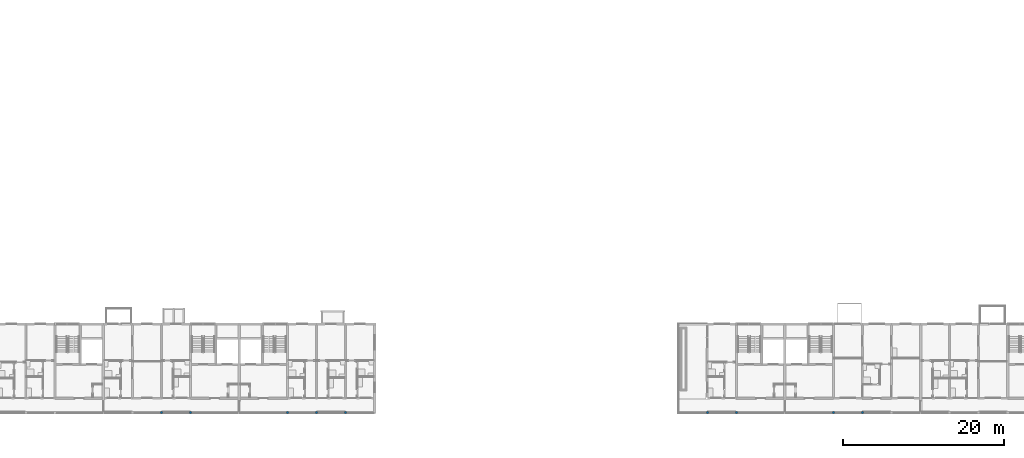
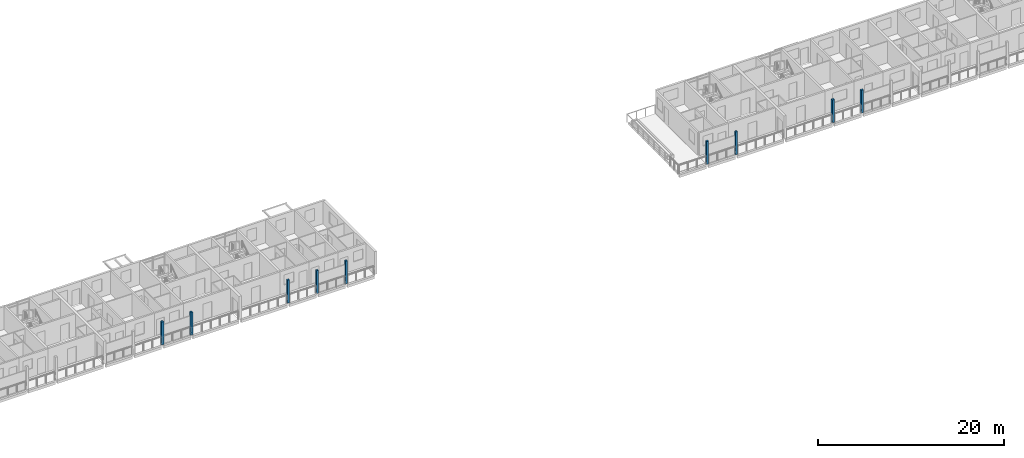
# One storey, part 2 of 78: 9 columns.
"""IFC4 building model written with IfcOpenShell, lengths in metres."""

from ifc_helpers import new_model, si_unit, direction, frame, origin, origin_2d, place, context, subcontext, project, spatial, rectangle, extrude, material, material_profile, profile_set, type_object, element, save


model = new_model("IFC4")

# Units and contexts
model_context = context("Model", 3, precision=1e-05, world=origin(), true_north=direction((0.0, 1.0)))
body_context = subcontext(model_context, "Body", "Model", "MODEL_VIEW")
ifc_project = project(units=[si_unit("LENGTHUNIT", "METRE"), si_unit("AREAUNIT", "SQUARE_METRE"), si_unit("VOLUMEUNIT", "CUBIC_METRE"), si_unit("PLANEANGLEUNIT", "RADIAN"), si_unit("MASSUNIT", "GRAM", prefix="KILO")], contexts=[model_context])

# Site, building, storey
site_placement = place(None, origin())
site = spatial("IfcSite", under=ifc_project, at=site_placement, CompositionType="ELEMENT")
building_placement = place(site_placement, origin())
building = spatial("IfcBuilding", under=site, at=building_placement, Name="Ridgestep Commons", CompositionType="ELEMENT")
storey_placement = place(building_placement, frame((0.0, 0.0, 30.0)))
storey = spatial("IfcBuildingStorey", under=building, at=storey_placement, Name="L10", CompositionType="ELEMENT", Elevation=30.0)

# Columns
ifc_material = material(Name="Precast concrete C40/50", Category="concrete")
ifc_material_profile = material_profile(ifc_material, rectangle(XDim=0.25, YDim=0.25, at=origin_2d()), Name="PC 250x250")
ifc_profile_set = profile_set([ifc_material_profile], Name="Precast concrete C40/50")
column_type = type_object("IfcColumnType", Name="Loggia column 250 x 250", PredefinedType="COLUMN", material=ifc_profile_set)
for number, where, z_axis, x_axis, name in (
    (1, (86.39990234375, 11.875, 0.0), (0.0, 0.0, 1.0), (1.0, 0.0, 0.0), "Loggia column A L10"),
    (2, (90.0, 11.875, 0.0), (0.0, 0.0, 1.0), (1.0, 0.0, 0.0), "Loggia column A L10"),
    (3, (102.0, 11.875, 0.0), (0.0, 0.0, 1.0), (1.0, 0.0, 0.0), "Loggia column A L10"),
    (4, (105.60009765625, 11.875, 0.0), (0.0, 0.0, 1.0), (1.0, 0.0, 0.0), "Loggia column A L10"),
    (5, (109.199951171875, 11.875, 0.0), (0.0, 0.0, 1.0), (1.0, 0.0, 0.0), "Loggia column A L10"),
    (6, (154.0, 11.875, 0.0), (0.0, 0.0, 1.0), (1.0, 0.0, 0.0), "Loggia column D L10"),
    (7, (157.60009765625, 11.875, 0.0), (0.0, 0.0, 1.0), (1.0, 0.0, 0.0), "Loggia column D L10"),
    (8, (169.60009765625, 11.875, 0.0), (0.0, 0.0, 1.0), (1.0, 0.0, 0.0), "Loggia column D L10"),
    (9, (173.199951171875, 11.875, 0.0), (0.0, 0.0, 1.0), (1.0, 0.0, 0.0), "Loggia column D L10"),
):
    element("IfcColumn", number, at=place(storey_placement, frame(where, z_axis=z_axis, x_axis=x_axis)), inside=storey, type_object=column_type, Name=name, PredefinedType="COLUMN", context=body_context, shape_type="SweptSolid", body=[
        extrude(rectangle(XDim=0.25, YDim=0.25, at=origin_2d()), origin(), (0.0, 0.0, 1.0), 3.0),
    ])

save(model, "model.ifc")
